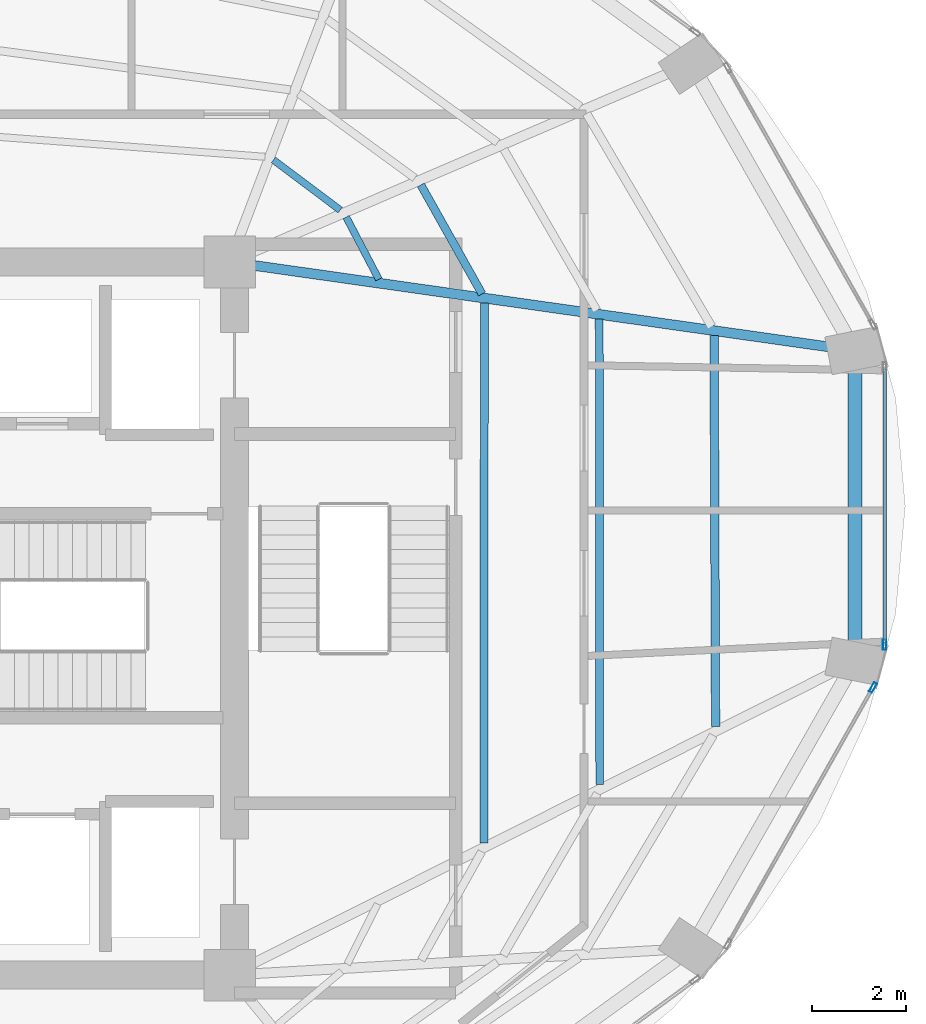
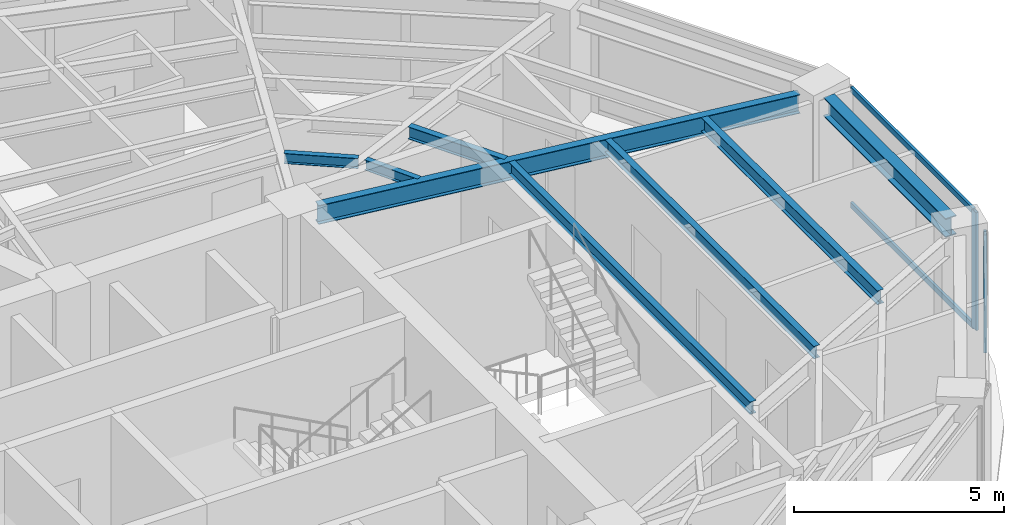
# One storey, part 10 of 20: 8 beams, 4 members, 2 elements without a shape of their own.
"""IFC4 building model written with IfcOpenShell, lengths in metres."""

import ifcopenshell
import ifcopenshell.guid

model = None  # the IFC model being written
_history = None  # IfcOwnerHistory: only IFC2X3 demands one
_inside = {}  # id of a spatial element -> (the spatial element, [elements in it])
_under = {}  # id of a project, library or spatial element -> (it, [spatial elements below it])
_declared = {}  # id of a project -> (the project, [libraries it declares])
_typed = {}  # id of a type object -> (the type object, [elements of that type])
_made_of = {}  # id of a material, layer set ... -> (it, [elements and type objects made of it])


def new_model(schema):
    """Start an empty IFC model of exactly this schema.

    Asked for "IFC4X3", IfcOpenShell would pick the latest addendum, in which some entities
    have other attributes; the version numbers below select the first issue.
    IFC2X3 requires an IfcOwnerHistory on every rooted entity: one is made here for all.
    """
    global model, _history
    if schema == "IFC4X3":
        model = ifcopenshell.file(schema_version=(4, 3, 0, 0))
    else:
        model = ifcopenshell.file(schema=schema)
    _inside.clear()
    _under.clear()
    _declared.clear()
    _typed.clear()
    _made_of.clear()
    _history = None
    if model.schema == "IFC2X3":
        org = make("IfcOrganization", Name="unknown")
        user = make(
            "IfcPersonAndOrganization",
            ThePerson=make("IfcPerson", FamilyName="unknown"),
            TheOrganization=org,
        )
        app = make(
            "IfcApplication",
            ApplicationDeveloper=org,
            Version="unknown",
            ApplicationFullName="unknown",
            ApplicationIdentifier="unknown",
        )
        _history = make(
            "IfcOwnerHistory",
            OwningUser=user,
            OwningApplication=app,
            ChangeAction="ADDED",
            CreationDate=0,
        )
    return model


def make(cls, **values):
    """One entity of the class cls with the attributes given. An attribute that is None is left unset."""
    return model.create_entity(
        cls, **{name: value for name, value in values.items() if value is not None}
    )


def rooted(cls, **values):
    """An entity with a GlobalId (a new one), such as an element, a storey or a relation."""
    return make(cls, GlobalId=ifcopenshell.guid.new(), OwnerHistory=_history, **values)


def si_unit(unit_type, name, prefix=None):
    """IfcSIUnit, for example si_unit("LENGTHUNIT", "METRE", prefix="MILLI")."""
    return make("IfcSIUnit", UnitType=unit_type, Prefix=prefix, Name=name)


def assignment(units):
    """IfcUnitAssignment: the units of a project."""
    return None if units is None else make("IfcUnitAssignment", Units=units)


def point(xyz):
    """IfcCartesianPoint."""
    return None if xyz is None else make("IfcCartesianPoint", Coordinates=xyz)


def direction(xyz):
    """IfcDirection."""
    return None if xyz is None else make("IfcDirection", DirectionRatios=xyz)


def frame(location, z_axis=None, x_axis=None):
    """IfcAxis2Placement3D, a coordinate frame: its origin and axes. An axis left out is left unset."""
    return make(
        "IfcAxis2Placement3D",
        Location=point(location),
        Axis=direction(z_axis),
        RefDirection=direction(x_axis),
    )


def frame_2d(location, x_axis=None):
    """IfcAxis2Placement2D, a coordinate frame in the plane: its origin and x axis."""
    return make(
        "IfcAxis2Placement2D", Location=point(location), RefDirection=direction(x_axis)
    )


def origin():
    """The frame at (0, 0, 0) with its axes left unset."""
    return frame((0.0, 0.0, 0.0))


def origin_2d():
    """The frame at (0, 0) in the plane with its x axis left unset."""
    return frame_2d((0.0, 0.0))


def place(relative_to, where):
    """IfcLocalPlacement: puts the frame where relative to a parent placement (None: the world)."""
    return make(
        "IfcLocalPlacement", PlacementRelTo=relative_to, RelativePlacement=where
    )


def context(
    kind, dimensions, precision=None, world=None, true_north=None, identifier=None
):
    """IfcGeometricRepresentationContext, for example the 3D "Model" context."""
    return make(
        "IfcGeometricRepresentationContext",
        ContextIdentifier=identifier,
        ContextType=kind,
        CoordinateSpaceDimension=dimensions,
        Precision=precision,
        WorldCoordinateSystem=world,
        TrueNorth=true_north,
    )


def subcontext(parent, identifier, kind, view, scale=None):
    """IfcGeometricRepresentationSubContext, for example "Body" below "Model"."""
    return make(
        "IfcGeometricRepresentationSubContext",
        ContextIdentifier=identifier,
        ContextType=kind,
        ParentContext=parent,
        TargetScale=scale,
        TargetView=view,
    )


def project(units=None, contexts=None):
    """IfcProject with its units and contexts."""
    return rooted(
        "IfcProject",
        Name="project",
        RepresentationContexts=contexts,
        UnitsInContext=assignment(units),
    )


def spatial(cls, under=None, at=None, **own):
    """A site, building, storey or space (cls), placed at a placement, below another one or the project."""
    s = rooted(cls, ObjectPlacement=at, **own)
    if under is not None:
        _under.setdefault(under.id(), (under, []))[1].append(s)
    return s


def profile(cls, at=None, kind="AREA", **sizes):
    """A parametric profile (cls). Its sizes go by their IFC names, for example OverallWidth=200.0."""
    return make(cls, ProfileType=kind, Position=at, **sizes)


def hollow_rectangle(**sizes):
    """IfcRectangleHollowProfileDef."""
    return profile("IfcRectangleHollowProfileDef", **sizes)


def i_section(**sizes):
    """IfcIShapeProfileDef."""
    return profile("IfcIShapeProfileDef", **sizes)


def extrude(swept, where, along, depth):
    """IfcExtrudedAreaSolid: the profile swept, set in the frame where, extruded along a direction by depth."""
    return make(
        "IfcExtrudedAreaSolid",
        SweptArea=swept,
        Position=where,
        ExtrudedDirection=direction(along),
        Depth=depth,
    )


def shape(context_of_items, identifier, shape_type, items):
    """IfcShapeRepresentation: the items that make up one representation, for example the "Body"."""
    return make(
        "IfcShapeRepresentation",
        ContextOfItems=context_of_items,
        RepresentationIdentifier=identifier,
        RepresentationType=shape_type,
        Items=items,
    )


def material(Name=None, Category=None):
    """IfcMaterial."""
    return make("IfcMaterial", Name=Name, Category=Category)


def layer(
    of_material, thickness, ventilated=None, Name=None, Category=None, Priority=None
):
    """IfcMaterialLayer: one layer of a wall or slab, of a material (None: an air gap)."""
    return make(
        "IfcMaterialLayer",
        Material=of_material,
        LayerThickness=thickness,
        IsVentilated=ventilated,
        Name=Name,
        Category=Category,
        Priority=Priority,
    )


def layer_set(layers, Name=None):
    """IfcMaterialLayerSet."""
    return make("IfcMaterialLayerSet", MaterialLayers=layers, LayerSetName=Name)


def material_profile(
    of_material, cross_section, Name=None, Category=None, Priority=None
):
    """IfcMaterialProfile: a cross section and its material."""
    return make(
        "IfcMaterialProfile",
        Name=Name,
        Material=of_material,
        Profile=cross_section,
        Priority=Priority,
        Category=Category,
    )


def profile_set(profiles, Name=None, composite=None):
    """IfcMaterialProfileSet."""
    return make(
        "IfcMaterialProfileSet",
        Name=Name,
        MaterialProfiles=profiles,
        CompositeProfile=composite,
    )


def made_of(thing, what):
    """Note that an element or type object is made of a material, layer set ...; save() writes the relation."""
    if what is not None:
        _made_of.setdefault(what.id(), (what, []))[1].append(thing)
    return thing


def type_object(cls, material=None, **own):
    """A type object (cls), such as IfcWallType, which elements share."""
    return made_of(rooted(cls, **own), material)


def element(
    cls,
    number,
    at=None,
    inside=None,
    cuts=None,
    type_object=None,
    material=None,
    context=None,
    identifier="Body",
    shape_type=None,
    held_by="IfcProductDefinitionShape",
    body=None,
    shapes=None,
    **own,
):
    """One element of the class cls, such as IfcWall. Its Tag is "e" and its number.

    at: its placement. inside: the storey or other place that contains it. cuts: it is an
    opening in that element (IfcRelVoidsElement). A single representation is given by context,
    identifier, shape_type and body (its items); several are given by shapes. held_by: the class
    of the entity that holds the representations. save() writes the other relations.
    """
    e = rooted(cls, Tag="e%d" % number, ObjectPlacement=at, **own)
    if body is not None:
        shapes = [shape(context, identifier, shape_type, body)]
    if shapes is not None:
        e.Representation = make(held_by, Representations=shapes)
    if inside is not None:
        _inside.setdefault(inside.id(), (inside, []))[1].append(e)
    if cuts is not None:
        rooted(
            "IfcRelVoidsElement", RelatingBuildingElement=cuts, RelatedOpeningElement=e
        )
    if type_object is not None:
        _typed.setdefault(type_object.id(), (type_object, []))[1].append(e)
    return made_of(e, material)


def aggregate(whole, parts):
    """IfcRelAggregates: a whole, such as a stair, and the parts it consists of."""
    return rooted("IfcRelAggregates", RelatingObject=whole, RelatedObjects=parts)


def save(model, path):
    """Write the relations noted so far, then the file.

    IfcRelAggregates (storeys below a building ...), IfcRelContainedInSpatialStructure (elements
    in a storey), IfcRelDefinesByType, IfcRelAssociatesMaterial and IfcRelDeclares: one each for
    every whole, place, type object, material and project.
    """
    for whole, parts in _under.values():
        aggregate(whole, parts)
    for where, things in _inside.values():
        rooted(
            "IfcRelContainedInSpatialStructure",
            RelatedElements=things,
            RelatingStructure=where,
        )
    for kind, things in _typed.values():
        rooted("IfcRelDefinesByType", RelatedObjects=things, RelatingType=kind)
    for what, things in _made_of.values():
        rooted("IfcRelAssociatesMaterial", RelatedObjects=things, RelatingMaterial=what)
    for by, libraries in _declared.values():
        rooted("IfcRelDeclares", RelatingContext=by, RelatedDefinitions=libraries)
    model.write(path)


model = new_model("IFC4")

# Units and contexts
model_context = context("Model", 3, precision=1e-05, world=origin(), true_north=direction((0.0, 1.0)))
body_context = subcontext(model_context, "Body", "Model", "MODEL_VIEW")
ifc_project = project(units=[si_unit("LENGTHUNIT", "METRE"), si_unit("AREAUNIT", "SQUARE_METRE"), si_unit("VOLUMEUNIT", "CUBIC_METRE"), si_unit("PLANEANGLEUNIT", "RADIAN"), si_unit("MASSUNIT", "GRAM", prefix="KILO")], contexts=[model_context])

# Site, building, storey
site_placement = place(None, origin())
site = spatial("IfcSite", under=ifc_project, at=site_placement, CompositionType="ELEMENT")
building_placement = place(site_placement, origin())
building = spatial("IfcBuilding", under=site, at=building_placement, Name="Lazwardi Medical Tower", CompositionType="ELEMENT")
storey_placement = place(building_placement, frame((0.0, 0.0, 145.583984375)))
storey = spatial("IfcBuildingStorey", under=building, at=storey_placement, Name="L37", CompositionType="ELEMENT", Elevation=145.583984375)

# Beams
ifc_material_1 = material(Name="Steel S355", Category="steel")
ifc_material_profile_1 = material_profile(ifc_material_1, i_section(OverallWidth=0.300048828125, OverallDepth=0.550048828125, WebThickness=0.014892578125, FlangeThickness=0.029052734375, at=origin_2d()), Name="HEB 550")
ifc_profile_set_1 = profile_set([ifc_material_profile_1], Name="Steel S355")
beam_type_1 = type_object("IfcBeamType", Name="BM-RB-Z3", PredefinedType="BEAM", material=ifc_profile_set_1)
beam_1_placement = place(storey_placement, frame((58.92578125, 27.48828125, 3.153076171875), z_axis=(0.0, 1.0, 0.0), x_axis=(-1.0, 0.0, 0.0)))
element("IfcBeam", 1, at=beam_1_placement, inside=storey, type_object=beam_type_1, Name="Ring beam RB-04 B04 L37", PredefinedType="BEAM", context=body_context, shape_type="SweptSolid", body=[
    extrude(i_section(OverallWidth=0.300048828125, OverallDepth=0.550048828125, WebThickness=0.014892578125, FlangeThickness=0.029052734375, at=origin_2d()), origin(), (0.0, 0.0, 1.0), 5.823486328125),
])
ifc_material_profile_2 = material_profile(ifc_material_1, i_section(OverallWidth=0.2099609375, OverallDepth=0.550048828125, WebThickness=0.010986328125, FlangeThickness=0.01708984375, at=origin_2d()), Name="IPE 550")
ifc_profile_set_2 = profile_set([ifc_material_profile_2], Name="Steel S355")
beam_type_2 = type_object("IfcBeamType", Name="BM-RG-W2", PredefinedType="BEAM", material=ifc_profile_set_2)
beam_2_placement = place(storey_placement, frame((58.371337890625, 33.790283203125, 3.153076171875), z_axis=(-0.99010958763, 0.140296131389, 0.0), x_axis=(-0.140296131389, -0.99010958763, 0.0)))
element("IfcBeam", 2, at=beam_2_placement, inside=storey, type_object=beam_type_2, Name="Radial girder RG-03 R05 L37", PredefinedType="BEAM", context=body_context, shape_type="SweptSolid", body=[
    extrude(i_section(OverallWidth=0.2099609375, OverallDepth=0.550048828125, WebThickness=0.010986328125, FlangeThickness=0.01708984375, at=origin_2d()), origin(), (0.0, 0.0, 1.0), 12.364013671875),
])
ifc_material_profile_3 = material_profile(ifc_material_1, i_section(OverallWidth=0.179931640625, OverallDepth=0.39990234375, WebThickness=0.008544921875, FlangeThickness=0.013427734375, at=origin_2d()), Name="IPE 400")
ifc_profile_set_3 = profile_set([ifc_material_profile_3], Name="Steel S355")
beam_type_3 = type_object("IfcBeamType", Name="BM-SJ-01", PredefinedType="JOIST", material=ifc_profile_set_3)
beam_3_placement = place(storey_placement, frame((55.95556640625, 25.69775390625, 3.22802734375), z_axis=(-0.003864366017, 0.99999253331, 0.0), x_axis=(-0.99999253331, -0.003864366017, 0.0)))
element("IfcBeam", 3, at=beam_3_placement, inside=storey, type_object=beam_type_3, Name="Secondary joist SJ-01 R1 B04 L37", PredefinedType="JOIST", context=body_context, shape_type="SweptSolid", body=[
    extrude(i_section(OverallWidth=0.179931640625, OverallDepth=0.39990234375, WebThickness=0.008544921875, FlangeThickness=0.013427734375, at=origin_2d()), origin(), (0.0, 0.0, 1.0), 8.33935546875),
])
ifc_material_profile_4 = material_profile(ifc_material_1, i_section(OverallWidth=0.169921875, OverallDepth=0.360107421875, WebThickness=0.008056640625, FlangeThickness=0.0126953125, at=origin_2d()), Name="IPE 360")
ifc_profile_set_4 = profile_set([ifc_material_profile_4], Name="Steel S355")
beam_type_4 = type_object("IfcBeamType", Name="BM-SJ-02", PredefinedType="JOIST", material=ifc_profile_set_4)
beam_4_placement = place(storey_placement, frame((53.486328125, 24.458251953125, 3.248046875), z_axis=(-0.001156040156, 0.999999331785, 0.0), x_axis=(-0.999999331785, -0.001156040156, 0.0)))
element("IfcBeam", 4, at=beam_4_placement, inside=storey, type_object=beam_type_4, Name="Secondary joist SJ-02 R2 B04 L37", PredefinedType="JOIST", context=body_context, shape_type="SweptSolid", body=[
    extrude(i_section(OverallWidth=0.169921875, OverallDepth=0.360107421875, WebThickness=0.008056640625, FlangeThickness=0.0126953125, at=origin_2d()), origin(), (0.0, 0.0, 1.0), 9.92578125),
])
beam_5_placement = place(storey_placement, frame((51.01708984375, 23.21875, 3.248046875), z_axis=(0.000805852776, 0.999999675301, 0.0), x_axis=(-0.999999675301, 0.000805852776, 0.0)))
element("IfcBeam", 5, at=beam_5_placement, inside=storey, type_object=beam_type_4, Name="Secondary joist SJ-02 R3 B04 L37", PredefinedType="JOIST", context=body_context, shape_type="SweptSolid", body=[
    extrude(i_section(OverallWidth=0.169921875, OverallDepth=0.360107421875, WebThickness=0.008056640625, FlangeThickness=0.0126953125, at=origin_2d()), origin(), (0.0, 0.0, 1.0), 11.512451171875),
])
beam_6_placement = place(storey_placement, frame((50.977294921875, 34.918212890625, 3.248046875), z_axis=(-0.489408945026, 0.872054404569, 0.0), x_axis=(-0.872054404569, -0.489408945026, 0.0)))
element("IfcBeam", 6, at=beam_6_placement, inside=storey, type_object=beam_type_4, Name="Secondary joist SJ-02 R3 B05 L37", PredefinedType="JOIST", context=body_context, shape_type="SweptSolid", body=[
    extrude(i_section(OverallWidth=0.169921875, OverallDepth=0.360107421875, WebThickness=0.008056640625, FlangeThickness=0.0126953125, at=origin_2d()), origin(), (0.0, 0.0, 1.0), 2.666259765625),
])
ifc_material_profile_5 = material_profile(ifc_material_1, i_section(OverallWidth=0.14990234375, OverallDepth=0.300048828125, WebThickness=0.007080078125, FlangeThickness=0.0107421875, at=origin_2d()), Name="IPE 300")
ifc_profile_set_5 = profile_set([ifc_material_profile_5], Name="Steel S355")
beam_type_5 = type_object("IfcBeamType", Name="BM-SJ-03", PredefinedType="JOIST", material=ifc_profile_set_5)
beam_7_placement = place(storey_placement, frame((48.7763671875, 35.231689453125, 3.278076171875), z_axis=(-0.464469748171, 0.885588986513, 0.0), x_axis=(-0.885588986513, -0.464469748171, 0.0)))
element("IfcBeam", 7, at=beam_7_placement, inside=storey, type_object=beam_type_5, Name="Secondary joist SJ-03 R4 B05 L37", PredefinedType="JOIST", context=body_context, shape_type="SweptSolid", body=[
    extrude(i_section(OverallWidth=0.14990234375, OverallDepth=0.300048828125, WebThickness=0.007080078125, FlangeThickness=0.0107421875, at=origin_2d()), origin(), (0.0, 0.0, 1.0), 1.498046875),
])
beam_8_placement = place(storey_placement, frame((47.9541015625, 36.70703125, 3.278076171875), z_axis=(-0.799884834751, 0.600153522972, 0.0), x_axis=(-0.600153522972, -0.799884834751, 0.0)))
element("IfcBeam", 8, at=beam_8_placement, inside=storey, type_object=beam_type_5, Name="Secondary joist SJ-03 R4 B06 L37", PredefinedType="JOIST", context=body_context, shape_type="SweptSolid", body=[
    extrude(i_section(OverallWidth=0.14990234375, OverallDepth=0.300048828125, WebThickness=0.007080078125, FlangeThickness=0.0107421875, at=origin_2d()), origin(), (0.0, 0.0, 1.0), 1.781005859375),
])

# Curtain wall, member
ifc_material_2 = material(Name="Anodised bronze aluminium and solar control glazing", Category="aluminium")
ifc_layer = layer(ifc_material_2, 0.195068359375)
ifc_layer_set = layer_set([ifc_layer], Name="Anodised bronze aluminium and solar control glazing")
curtain_wall_type = type_object("IfcCurtainWallType", Name="CW-SYS-03", PredefinedType="NOTDEFINED", material=ifc_layer_set)
curtain_wall_1_placement = place(storey_placement, origin())
curtain_wall_1 = element("IfcCurtainWall", 9, at=curtain_wall_1_placement, inside=storey, type_object=curtain_wall_type, Name="L37 Unitised bronze curtain wall CW-03", PredefinedType="NOTDEFINED")
ifc_material_3 = material(Name="Anodised bronze aluminium", Category="aluminium")
ifc_material_profile_6 = material_profile(ifc_material_3, hollow_rectangle(XDim=0.074951171875, YDim=0.219970703125, WallThickness=0.00390625, at=origin_2d()), Name="ALU-MULLION 220x75x4")
ifc_profile_set_6 = profile_set([ifc_material_profile_6], Name="Anodised bronze aluminium")
member_type_1 = type_object("IfcMemberType", Name="CW-MUL-01", PredefinedType="MULLION", material=ifc_profile_set_6)
member_1_placement = place(storey_placement, frame((59.31103515625, 26.53271484375, 0.0), z_axis=(0.0, 0.0, 1.0), x_axis=(-0.870418989303, 0.492311672683, 0.0)))
member_1 = element("IfcMember", 10, at=member_1_placement, type_object=member_type_1, Name="CW-03 mullion 2", PredefinedType="MULLION", context=body_context, shape_type="SweptSolid", body=[
    extrude(hollow_rectangle(XDim=0.074951171875, YDim=0.219970703125, WallThickness=0.00390625, at=origin_2d()), origin(), (0.0, 0.0, 1.0), 3.427978515625),
])
aggregate(curtain_wall_1, [member_1])

# Curtain wall, members
curtain_wall_2_placement = place(storey_placement, origin())
curtain_wall_2 = element("IfcCurtainWall", 11, at=curtain_wall_2_placement, inside=storey, type_object=curtain_wall_type, Name="L37 Unitised bronze curtain wall CW-03", PredefinedType="NOTDEFINED")
member_2_placement = place(storey_placement, frame((59.5576171875, 27.442138671875, 0.0), z_axis=(0.0, 0.0, 1.0), x_axis=(-1.0, 0.0, 0.0)))
member_2 = element("IfcMember", 12, at=member_2_placement, type_object=member_type_1, Name="CW-03 mullion 1", PredefinedType="MULLION", context=body_context, shape_type="SweptSolid", body=[
    extrude(hollow_rectangle(XDim=0.074951171875, YDim=0.219970703125, WallThickness=0.00390625, at=origin_2d()), origin(), (0.0, 0.0, 1.0), 3.427978515625),
])
ifc_material_profile_7 = material_profile(ifc_material_3, hollow_rectangle(XDim=0.074951171875, YDim=0.159912109375, WallThickness=0.00390625, at=origin_2d()), Name="ALU-TRANSOM 160x75x4")
ifc_profile_set_7 = profile_set([ifc_material_profile_7], Name="Anodised bronze aluminium")
member_type_2 = type_object("IfcMemberType", Name="CW-TRN-01", PredefinedType="USERDEFINED", material=ifc_profile_set_7)
member_3_placement = place(storey_placement, frame((59.5576171875, 27.4794921875, 0.03759765625), z_axis=(0.0, 1.0, 0.0), x_axis=(-1.0, 0.0, 0.0)))
member_3 = element("IfcMember", 13, at=member_3_placement, type_object=member_type_2, Name="CW-03 transom 1.1", ObjectType="TRANSOM", PredefinedType="USERDEFINED", context=body_context, shape_type="SweptSolid", body=[
    extrude(hollow_rectangle(XDim=0.074951171875, YDim=0.159912109375, WallThickness=0.00390625, at=origin_2d()), origin(), (0.0, 0.0, 1.0), 5.8408203125),
])
member_4_placement = place(storey_placement, frame((59.5576171875, 27.4794921875, 3.390625), z_axis=(0.0, 1.0, 0.0), x_axis=(-1.0, 0.0, 0.0)))
member_4 = element("IfcMember", 14, at=member_4_placement, type_object=member_type_2, Name="CW-03 transom 1.2", ObjectType="TRANSOM", PredefinedType="USERDEFINED", context=body_context, shape_type="SweptSolid", body=[
    extrude(hollow_rectangle(XDim=0.074951171875, YDim=0.159912109375, WallThickness=0.00390625, at=origin_2d()), origin(), (0.0, 0.0, 1.0), 5.8408203125),
])
aggregate(curtain_wall_2, [member_2, member_3, member_4])

save(model, "model.ifc")
